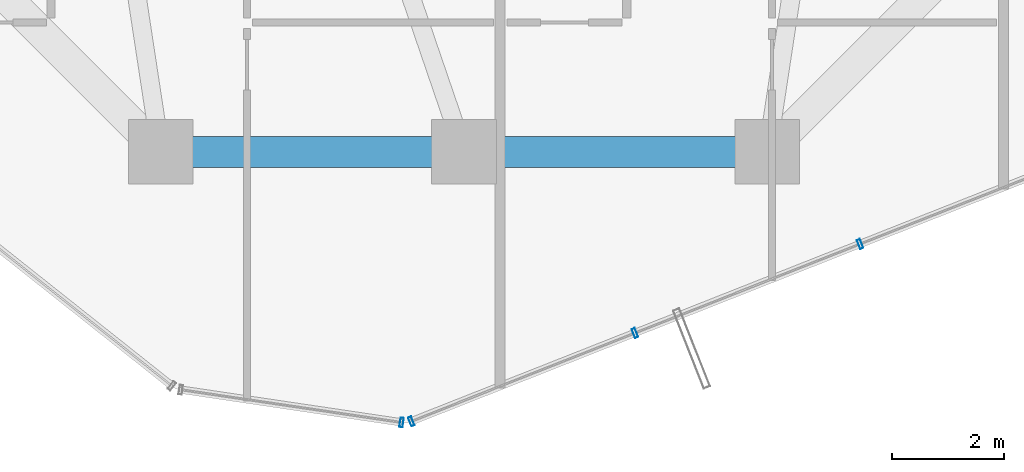
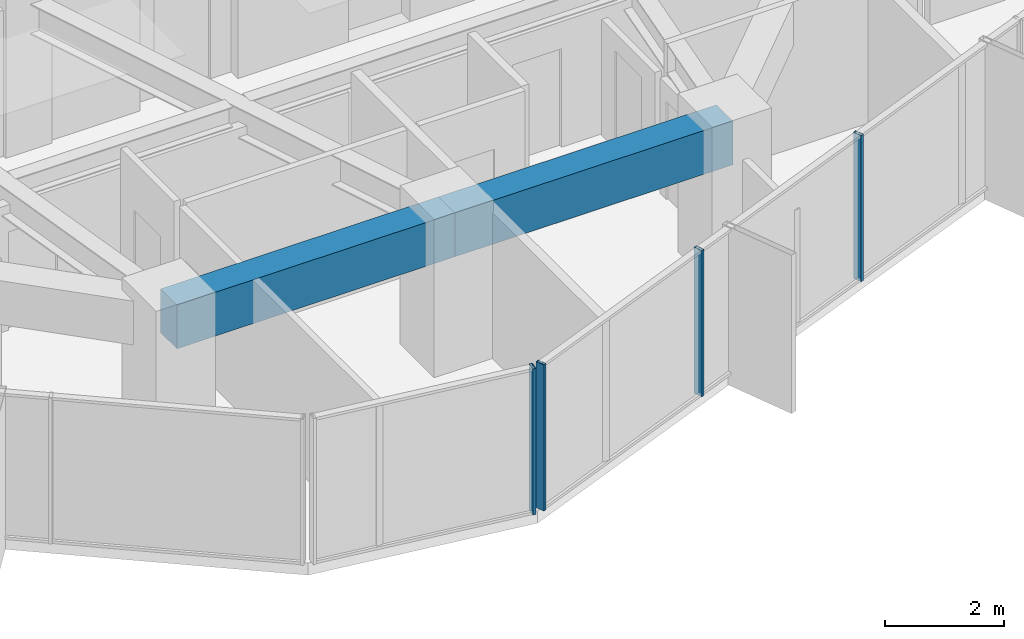
# One storey, part 6 of 29: 4 members, 2 beams, 2 elements without a shape of their own.
"""IFC4 building model written with IfcOpenShell, lengths in metres."""

from ifc_helpers import new_model, si_unit, direction, frame, origin, origin_2d, place, context, subcontext, project, spatial, rectangle, hollow_rectangle, extrude, source, transform, mapped, material, layer, layer_set, material_profile, profile_set, type_object, element, aggregate, save


model = new_model("IFC4")

# Units and contexts
model_context = context("Model", 3, precision=1e-05, world=origin(), true_north=direction((0.0, 1.0)))
body_context = subcontext(model_context, "Body", "Model", "MODEL_VIEW")
ifc_project = project(units=[si_unit("LENGTHUNIT", "METRE"), si_unit("AREAUNIT", "SQUARE_METRE"), si_unit("VOLUMEUNIT", "CUBIC_METRE"), si_unit("PLANEANGLEUNIT", "RADIAN"), si_unit("MASSUNIT", "GRAM", prefix="KILO")], contexts=[model_context])

# Site, building, storey
site_placement = place(None, origin())
site = spatial("IfcSite", under=ifc_project, at=site_placement, CompositionType="ELEMENT")
building_placement = place(site_placement, origin())
building = spatial("IfcBuilding", under=site, at=building_placement, Name="Veraguas Prism Commons", CompositionType="ELEMENT")
storey_placement = place(building_placement, frame((0.0, 0.0, 99.199951171875)))
storey = spatial("IfcBuildingStorey", under=building, at=storey_placement, Name="L27", CompositionType="ELEMENT", Elevation=99.199951171875)

# Beams
ifc_material_1 = material(Name="Concrete C50/60", Category="concrete")
ifc_material_profile_1 = material_profile(ifc_material_1, rectangle(XDim=0.550048828125, YDim=0.89990234375, at=origin_2d()), Name="RC550X900")
ifc_profile_set_1 = profile_set([ifc_material_profile_1], Name="Concrete C50/60")
beam_type = type_object("IfcBeamType", Name="Perimeter Spandrel Lower RC 550x900", PredefinedType="SPANDREL", material=ifc_profile_set_1)
for number, where, z_axis, x_axis, name in (
    (1, (18.60009765625, 7.800048828125, 2.550048828125), (1.0, 0.0, 0.0), (0.0, 1.0, 0.0), "Perimeter Spandrel Beam L27-SP10"),
    (2, (24.0, 7.800048828125, 2.550048828125), (1.0, 0.0, 0.0), (0.0, 1.0, 0.0), "Perimeter Spandrel Beam L27-SP11"),
):
    element("IfcBeam", number, at=place(storey_placement, frame(where, z_axis=z_axis, x_axis=x_axis)), inside=storey, type_object=beam_type, Name=name, PredefinedType="SPANDREL", context=body_context, shape_type="SweptSolid", body=[
        extrude(rectangle(XDim=0.550048828125, YDim=0.89990234375, at=origin_2d()), origin(), (0.0, 0.0, 1.0), 5.39990234375),
    ])

# Curtain wall, members
ifc_material_2 = material(Name="Anodised aluminium EN AW-6063 T6", Category="aluminium")
ifc_layer = layer(ifc_material_2, 0.169921875, Name="Unitised Flush Curtain Wall Zone 2", Category="aluminium")
ifc_layer_set = layer_set([ifc_layer], Name="Anodised aluminium EN AW-6063 T6")
curtain_wall_type = type_object("IfcCurtainWallType", Name="Unitised Flush Curtain Wall Zone 2", PredefinedType="NOTDEFINED", material=ifc_layer_set)
curtain_wall_1_placement = place(storey_placement, origin())
curtain_wall_1 = element("IfcCurtainWall", 3, at=curtain_wall_1_placement, inside=storey, type_object=curtain_wall_type, Name="Tower Facade Curtain Wall L27-F5", PredefinedType="NOTDEFINED")
ifc_material_profile_2 = material_profile(ifc_material_2, hollow_rectangle(XDim=0.06005859375, YDim=0.169921875, WallThickness=0.00390625, at=origin_2d()), Name="AL60X170X4")
ifc_profile_set_2 = profile_set([ifc_material_profile_2], Name="Anodised aluminium EN AW-6063 T6")
member_type = type_object("IfcMemberType", Name="Curtain Wall Mullion Lower AL 60x170x4", PredefinedType="MULLION", material=ifc_profile_set_2)
shared_shape = source(origin(), body_context, "Body", "SweptSolid", [
    extrude(hollow_rectangle(XDim=0.06005859375, YDim=0.169921875, WallThickness=0.00390625, at=origin_2d()), origin(), (0.0, 0.0, 1.0), 3.0),
])
member_1_placement = place(storey_placement, frame((23.062744140625, 3.00390625, 0.0), z_axis=(0.0, 0.0, 1.0), x_axis=(0.93003197597, 0.367478603014, 0.0)))
member_1 = element("IfcMember", 4, at=member_1_placement, type_object=member_type, Name="CW-Z2 Mullion 1", PredefinedType="MULLION", context=body_context, shape_type="MappedRepresentation", body=[
    mapped(shared_shape, transform((0.0, 0.0, 0.0), scale=1.0)),
])
member_2_placement = place(storey_placement, frame((27.0419921875, 4.576416015625, 0.0), z_axis=(0.0, 0.0, 1.0), x_axis=(0.93003197597, 0.367478603014, 0.0)))
member_2 = element("IfcMember", 5, at=member_2_placement, type_object=member_type, Name="CW-Z2 Mullion 2", PredefinedType="MULLION", context=body_context, shape_type="MappedRepresentation", body=[
    mapped(shared_shape, transform((0.0, 0.0, 0.0), scale=1.0)),
])
member_3_placement = place(storey_placement, frame((31.049072265625, 6.15966796875, 0.0), z_axis=(0.0, 0.0, 1.0), x_axis=(0.93003197597, 0.367478603014, 0.0)))
member_3 = element("IfcMember", 6, at=member_3_placement, type_object=member_type, Name="CW-Z2 Mullion 3", PredefinedType="MULLION", context=body_context, shape_type="MappedRepresentation", body=[
    mapped(shared_shape, transform((0.0, 0.0, 0.0), scale=1.0)),
])
aggregate(curtain_wall_1, [member_1, member_2, member_3])

# Curtain wall, member
curtain_wall_2_placement = place(storey_placement, origin())
curtain_wall_2 = element("IfcCurtainWall", 7, at=curtain_wall_2_placement, inside=storey, type_object=curtain_wall_type, Name="Chamfer Curtain Wall L27-C5", PredefinedType="NOTDEFINED")
member_4_placement = place(storey_placement, frame((22.889892578125, 2.984130859375, 0.0), z_axis=(0.0, 0.0, 1.0), x_axis=(0.989167801062, -0.146789173113, 0.0)))
member_4 = element("IfcMember", 8, at=member_4_placement, type_object=member_type, Name="CW-Z2 Mullion 2", PredefinedType="MULLION", context=body_context, shape_type="MappedRepresentation", body=[
    mapped(shared_shape, transform((0.0, 0.0, 0.0), scale=1.0)),
])
aggregate(curtain_wall_2, [member_4])

save(model, "model.ifc")
